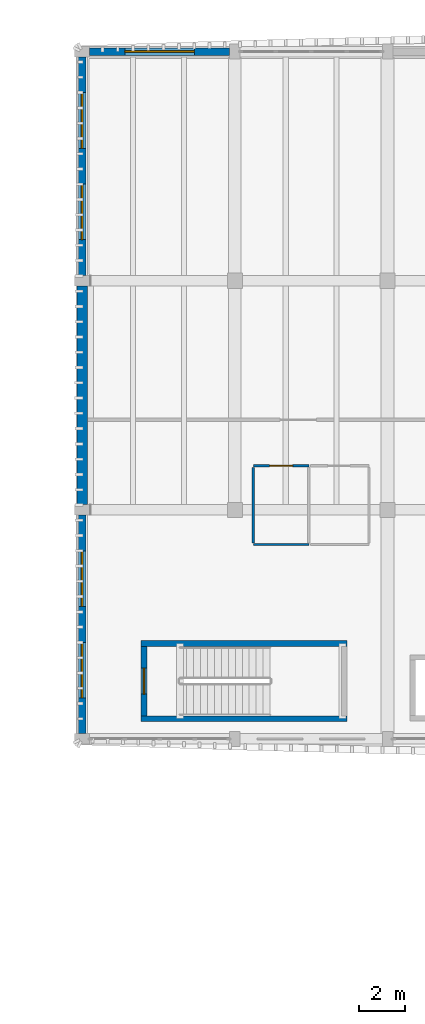
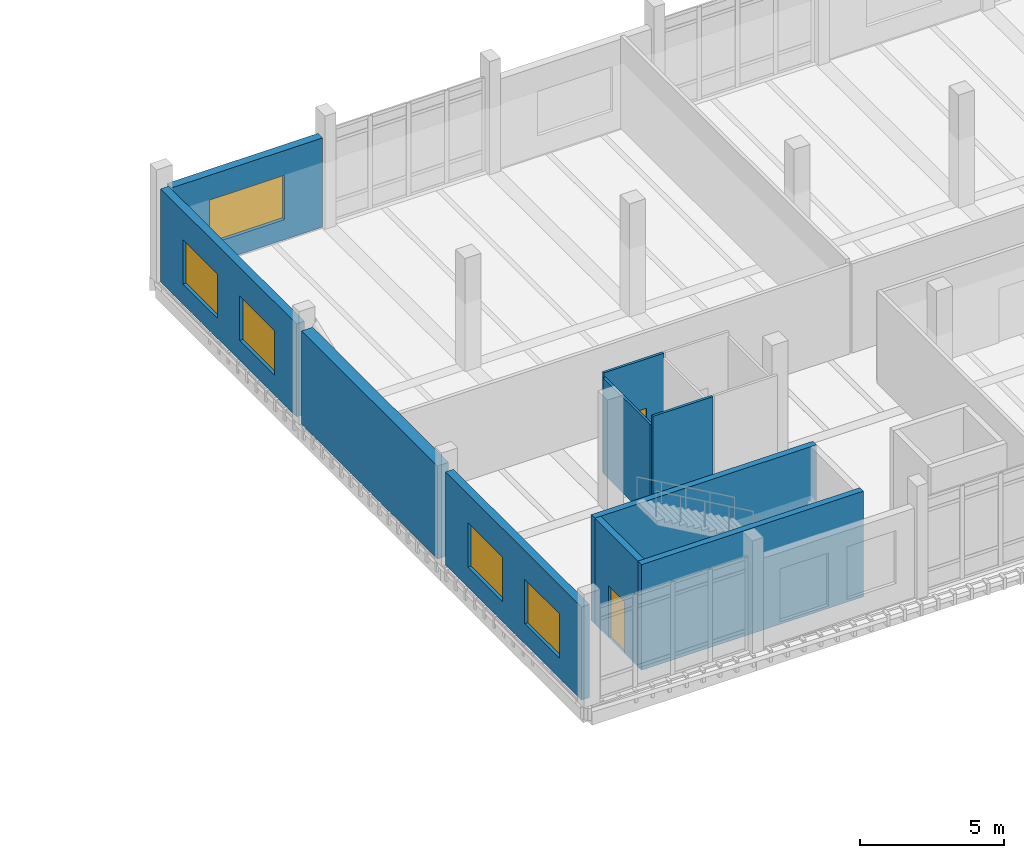
# One storey, part 30 of 50: 10 walls, 5 windows, 2 doors, 7 openings.
"""IFC4 building model written with IfcOpenShell, lengths in metres."""

import ifcopenshell
import ifcopenshell.guid

model = None  # the IFC model being written
_history = None  # IfcOwnerHistory: only IFC2X3 demands one
_inside = {}  # id of a spatial element -> (the spatial element, [elements in it])
_under = {}  # id of a project, library or spatial element -> (it, [spatial elements below it])
_declared = {}  # id of a project -> (the project, [libraries it declares])
_typed = {}  # id of a type object -> (the type object, [elements of that type])
_made_of = {}  # id of a material, layer set ... -> (it, [elements and type objects made of it])


def new_model(schema):
    """Start an empty IFC model of exactly this schema.

    Asked for "IFC4X3", IfcOpenShell would pick the latest addendum, in which some entities
    have other attributes; the version numbers below select the first issue.
    IFC2X3 requires an IfcOwnerHistory on every rooted entity: one is made here for all.
    """
    global model, _history
    if schema == "IFC4X3":
        model = ifcopenshell.file(schema_version=(4, 3, 0, 0))
    else:
        model = ifcopenshell.file(schema=schema)
    _inside.clear()
    _under.clear()
    _declared.clear()
    _typed.clear()
    _made_of.clear()
    _history = None
    if model.schema == "IFC2X3":
        org = make("IfcOrganization", Name="unknown")
        user = make(
            "IfcPersonAndOrganization",
            ThePerson=make("IfcPerson", FamilyName="unknown"),
            TheOrganization=org,
        )
        app = make(
            "IfcApplication",
            ApplicationDeveloper=org,
            Version="unknown",
            ApplicationFullName="unknown",
            ApplicationIdentifier="unknown",
        )
        _history = make(
            "IfcOwnerHistory",
            OwningUser=user,
            OwningApplication=app,
            ChangeAction="ADDED",
            CreationDate=0,
        )
    return model


def make(cls, **values):
    """One entity of the class cls with the attributes given. An attribute that is None is left unset."""
    return model.create_entity(
        cls, **{name: value for name, value in values.items() if value is not None}
    )


def rooted(cls, **values):
    """An entity with a GlobalId (a new one), such as an element, a storey or a relation."""
    return make(cls, GlobalId=ifcopenshell.guid.new(), OwnerHistory=_history, **values)


def si_unit(unit_type, name, prefix=None):
    """IfcSIUnit, for example si_unit("LENGTHUNIT", "METRE", prefix="MILLI")."""
    return make("IfcSIUnit", UnitType=unit_type, Prefix=prefix, Name=name)


def assignment(units):
    """IfcUnitAssignment: the units of a project."""
    return None if units is None else make("IfcUnitAssignment", Units=units)


def point(xyz):
    """IfcCartesianPoint."""
    return None if xyz is None else make("IfcCartesianPoint", Coordinates=xyz)


def direction(xyz):
    """IfcDirection."""
    return None if xyz is None else make("IfcDirection", DirectionRatios=xyz)


def frame(location, z_axis=None, x_axis=None):
    """IfcAxis2Placement3D, a coordinate frame: its origin and axes. An axis left out is left unset."""
    return make(
        "IfcAxis2Placement3D",
        Location=point(location),
        Axis=direction(z_axis),
        RefDirection=direction(x_axis),
    )


def frame_2d(location, x_axis=None):
    """IfcAxis2Placement2D, a coordinate frame in the plane: its origin and x axis."""
    return make(
        "IfcAxis2Placement2D", Location=point(location), RefDirection=direction(x_axis)
    )


def origin():
    """The frame at (0, 0, 0) with its axes left unset."""
    return frame((0.0, 0.0, 0.0))


def place(relative_to, where):
    """IfcLocalPlacement: puts the frame where relative to a parent placement (None: the world)."""
    return make(
        "IfcLocalPlacement", PlacementRelTo=relative_to, RelativePlacement=where
    )


def context(
    kind, dimensions, precision=None, world=None, true_north=None, identifier=None
):
    """IfcGeometricRepresentationContext, for example the 3D "Model" context."""
    return make(
        "IfcGeometricRepresentationContext",
        ContextIdentifier=identifier,
        ContextType=kind,
        CoordinateSpaceDimension=dimensions,
        Precision=precision,
        WorldCoordinateSystem=world,
        TrueNorth=true_north,
    )


def subcontext(parent, identifier, kind, view, scale=None):
    """IfcGeometricRepresentationSubContext, for example "Body" below "Model"."""
    return make(
        "IfcGeometricRepresentationSubContext",
        ContextIdentifier=identifier,
        ContextType=kind,
        ParentContext=parent,
        TargetScale=scale,
        TargetView=view,
    )


def project(units=None, contexts=None):
    """IfcProject with its units and contexts."""
    return rooted(
        "IfcProject",
        Name="project",
        RepresentationContexts=contexts,
        UnitsInContext=assignment(units),
    )


def spatial(cls, under=None, at=None, **own):
    """A site, building, storey or space (cls), placed at a placement, below another one or the project."""
    s = rooted(cls, ObjectPlacement=at, **own)
    if under is not None:
        _under.setdefault(under.id(), (under, []))[1].append(s)
    return s


def profile(cls, at=None, kind="AREA", **sizes):
    """A parametric profile (cls). Its sizes go by their IFC names, for example OverallWidth=200.0."""
    return make(cls, ProfileType=kind, Position=at, **sizes)


def rectangle(**sizes):
    """IfcRectangleProfileDef."""
    return profile("IfcRectangleProfileDef", **sizes)


def extrude(swept, where, along, depth):
    """IfcExtrudedAreaSolid: the profile swept, set in the frame where, extruded along a direction by depth."""
    return make(
        "IfcExtrudedAreaSolid",
        SweptArea=swept,
        Position=where,
        ExtrudedDirection=direction(along),
        Depth=depth,
    )


def shape(context_of_items, identifier, shape_type, items):
    """IfcShapeRepresentation: the items that make up one representation, for example the "Body"."""
    return make(
        "IfcShapeRepresentation",
        ContextOfItems=context_of_items,
        RepresentationIdentifier=identifier,
        RepresentationType=shape_type,
        Items=items,
    )


def material(Name=None, Category=None):
    """IfcMaterial."""
    return make("IfcMaterial", Name=Name, Category=Category)


def layer(
    of_material, thickness, ventilated=None, Name=None, Category=None, Priority=None
):
    """IfcMaterialLayer: one layer of a wall or slab, of a material (None: an air gap)."""
    return make(
        "IfcMaterialLayer",
        Material=of_material,
        LayerThickness=thickness,
        IsVentilated=ventilated,
        Name=Name,
        Category=Category,
        Priority=Priority,
    )


def layer_set(layers, Name=None):
    """IfcMaterialLayerSet."""
    return make("IfcMaterialLayerSet", MaterialLayers=layers, LayerSetName=Name)


def made_of(thing, what):
    """Note that an element or type object is made of a material, layer set ...; save() writes the relation."""
    if what is not None:
        _made_of.setdefault(what.id(), (what, []))[1].append(thing)
    return thing


def type_object(cls, material=None, **own):
    """A type object (cls), such as IfcWallType, which elements share."""
    return made_of(rooted(cls, **own), material)


def element(
    cls,
    number,
    at=None,
    inside=None,
    cuts=None,
    type_object=None,
    material=None,
    context=None,
    identifier="Body",
    shape_type=None,
    held_by="IfcProductDefinitionShape",
    body=None,
    shapes=None,
    **own,
):
    """One element of the class cls, such as IfcWall. Its Tag is "e" and its number.

    at: its placement. inside: the storey or other place that contains it. cuts: it is an
    opening in that element (IfcRelVoidsElement). A single representation is given by context,
    identifier, shape_type and body (its items); several are given by shapes. held_by: the class
    of the entity that holds the representations. save() writes the other relations.
    """
    e = rooted(cls, Tag="e%d" % number, ObjectPlacement=at, **own)
    if body is not None:
        shapes = [shape(context, identifier, shape_type, body)]
    if shapes is not None:
        e.Representation = make(held_by, Representations=shapes)
    if inside is not None:
        _inside.setdefault(inside.id(), (inside, []))[1].append(e)
    if cuts is not None:
        rooted(
            "IfcRelVoidsElement", RelatingBuildingElement=cuts, RelatedOpeningElement=e
        )
    if type_object is not None:
        _typed.setdefault(type_object.id(), (type_object, []))[1].append(e)
    return made_of(e, material)


def fill(opening, filler):
    """IfcRelFillsElement: the door or window that sits in an opening."""
    return rooted(
        "IfcRelFillsElement",
        RelatingOpeningElement=opening,
        RelatedBuildingElement=filler,
    )


def aggregate(whole, parts):
    """IfcRelAggregates: a whole, such as a stair, and the parts it consists of."""
    return rooted("IfcRelAggregates", RelatingObject=whole, RelatedObjects=parts)


def save(model, path):
    """Write the relations noted so far, then the file.

    IfcRelAggregates (storeys below a building ...), IfcRelContainedInSpatialStructure (elements
    in a storey), IfcRelDefinesByType, IfcRelAssociatesMaterial and IfcRelDeclares: one each for
    every whole, place, type object, material and project.
    """
    for whole, parts in _under.values():
        aggregate(whole, parts)
    for where, things in _inside.values():
        rooted(
            "IfcRelContainedInSpatialStructure",
            RelatedElements=things,
            RelatingStructure=where,
        )
    for kind, things in _typed.values():
        rooted("IfcRelDefinesByType", RelatedObjects=things, RelatingType=kind)
    for what, things in _made_of.values():
        rooted("IfcRelAssociatesMaterial", RelatedObjects=things, RelatingMaterial=what)
    for by, libraries in _declared.values():
        rooted("IfcRelDeclares", RelatingContext=by, RelatedDefinitions=libraries)
    model.write(path)


model = new_model("IFC4")

# Units and contexts
model_context = context("Model", 3, precision=1e-05, world=origin(), true_north=direction((0.0, 1.0)))
body_context = subcontext(model_context, "Body", "Model", "MODEL_VIEW")
ifc_project = project(units=[si_unit("LENGTHUNIT", "METRE"), si_unit("AREAUNIT", "SQUARE_METRE"), si_unit("VOLUMEUNIT", "CUBIC_METRE"), si_unit("PLANEANGLEUNIT", "RADIAN"), si_unit("MASSUNIT", "GRAM", prefix="KILO")], contexts=[model_context])

# Site, building, storey
site_placement = place(None, origin())
site = spatial("IfcSite", under=ifc_project, at=site_placement, CompositionType="ELEMENT")
building_placement = place(site_placement, origin())
building = spatial("IfcBuilding", under=site, at=building_placement, Name="Dornvale Research Institute", CompositionType="ELEMENT")
storey_placement = place(building_placement, frame((0.0, 0.0, 19.800048828125)))
storey = spatial("IfcBuildingStorey", under=building, at=storey_placement, Name="L04", CompositionType="ELEMENT", Elevation=19.800048828125)

# Wall
ifc_material_1 = material(Name="Acoustic Insulated Double-Stud Laboratory Partition")
ifc_layer_1 = layer(ifc_material_1, 0.10009765625)
ifc_layer_set_1 = layer_set([ifc_layer_1], Name="Acoustic Insulated Double-Stud Laboratory Partition")
wall_type_1 = type_object("IfcWallType", Name="Partition_Office_100", PredefinedType="PARTITIONING", material=ifc_layer_set_1)
wall_1_placement = place(storey_placement, frame((126.199951171875, 100.800048828125, 0.0), z_axis=(0.0, 0.0, 1.0), x_axis=(1.0, 0.0, 0.0)))
element("IfcWall", 1, at=wall_1_placement, inside=storey, type_object=wall_type_1, Name="L04 V4 interior partition #426", PredefinedType="PARTITIONING", context=body_context, shape_type="SweptSolid", body=[
    extrude(rectangle(XDim=2.400146484375, YDim=0.10009765625, at=frame_2d((1.2001953125, 0.0))), origin(), (0.0, 0.0, 1.0), 4.4599609375),
])

# Wall, opening, door
wall_2_placement = place(storey_placement, frame((126.199951171875, 104.199951171875, 0.0), z_axis=(0.0, 0.0, 1.0), x_axis=(1.0, 0.0, 0.0)))
wall_2 = element("IfcWall", 2, at=wall_2_placement, inside=storey, type_object=wall_type_1, Name="L04 V4 interior partition #427", PredefinedType="PARTITIONING", context=body_context, shape_type="SweptSolid", body=[
    extrude(rectangle(XDim=2.400146484375, YDim=0.10009765625, at=frame_2d((1.2001953125, 0.0))), origin(), (0.0, 0.0, 1.0), 4.244873046875),
])
opening_1_placement = place(wall_2_placement, frame((0.699951171875, 0.0, 0.0)))
opening_1 = element("IfcOpeningElement", 3, at=opening_1_placement, cuts=wall_2, Name="Opening ID-24", PredefinedType="OPENING", context=body_context, shape_type="SweptSolid", body=[
    extrude(rectangle(XDim=1.0, YDim=2.14990234375, at=frame_2d((0.5, 1.074951171875))), frame((0.0, 0.06494140625, 0.0), z_axis=(0.0, -1.0, 0.0), x_axis=(1.0, 0.0, 0.0)), (0.0, 0.0, 1.0), 0.130126953125),
])
ifc_material_2 = material(Name="Phenolic-Faced Solid-Core Laboratory Door Assembly")
door_type_1 = type_object("IfcDoorType", Name="Door_AccWC_1000x2150", OperationType="SINGLE_SWING_LEFT", PredefinedType="DOOR", material=ifc_material_2)
door_1_placement = place(opening_1_placement, origin())
door_1 = element("IfcDoor", 4, at=door_1_placement, inside=storey, type_object=door_type_1, Name="L04 Wet Wing Male Restroom L04 door #174", OperationType="SINGLE_SWING_LEFT", OverallHeight=2.14990234375, OverallWidth=1.0, PredefinedType="DOOR", context=body_context, shape_type="SweptSolid", body=[
    extrude(rectangle(XDim=1.0, YDim=2.14990234375, at=frame_2d((0.5, 1.074951171875))), frame((0.0, 0.02490234375, 0.0), z_axis=(0.0, -1.0, 0.0), x_axis=(1.0, 0.0, 0.0)), (0.0, 0.0, 1.0), 0.050048828125),
])
fill(opening_1, door_1)

# Walls
wall_3_placement = place(storey_placement, frame((126.199951171875, 100.864990234375, 0.0), z_axis=(0.0, 0.0, 1.0), x_axis=(0.0, 1.0, 0.0)))
element("IfcWall", 5, at=wall_3_placement, inside=storey, type_object=wall_type_1, Name="L04 V4 interior partition #428", PredefinedType="PARTITIONING", context=body_context, shape_type="SweptSolid", body=[
    extrude(rectangle(XDim=3.27001953125, YDim=0.10009765625, at=frame_2d((1.635009765625, 0.0))), origin(), (0.0, 0.0, 1.0), 4.06494140625),
])
ifc_material_3 = material(Name="Concrete f'c 45 MPa (C35/45)", Category="concrete")
ifc_layer_2 = layer(ifc_material_3, 0.25)
ifc_layer_set_2 = layer_set([ifc_layer_2], Name="Concrete f'c 45 MPa (C35/45)")
wall_type_2 = type_object("IfcWallType", Name="ShearWall_Core_250", PredefinedType="SHEAR", material=ifc_layer_set_2)
for number, where, z_axis, x_axis, name in (
    (6, (121.35009765625, 93.27490234375, 0.0), (0.0, 0.0, 1.0), (1.0, 0.0, 0.0), "L04 ST-3 shaft shear wall south"),
    (7, (121.35009765625, 96.52490234375, 0.0), (0.0, 0.0, 1.0), (1.0, 0.0, 0.0), "L04 ST-3 shaft shear wall north"),
):
    element("IfcWall", number, at=place(storey_placement, frame(where, z_axis=z_axis, x_axis=x_axis)), inside=storey, type_object=wall_type_2, Name=name, PredefinedType="SHEAR", context=body_context, shape_type="SweptSolid", body=[
        extrude(rectangle(XDim=8.89990234375, YDim=0.25, at=frame_2d((4.449951171875, 0.0))), origin(), (0.0, 0.0, 1.0), 4.47998046875),
    ])

# Wall, opening, door
wall_4_placement = place(storey_placement, frame((121.47509765625, 93.39990234375, 0.0), z_axis=(0.0, 0.0, 1.0), x_axis=(0.0, 1.0, 0.0)))
wall_4 = element("IfcWall", 8, at=wall_4_placement, inside=storey, type_object=wall_type_2, Name="L04 ST-3 shaft shear wall west", PredefinedType="SHEAR", context=body_context, shape_type="SweptSolid", body=[
    extrude(rectangle(XDim=3.0, YDim=0.25, at=frame_2d((1.5, 0.0))), origin(), (0.0, 0.0, 1.0), 4.47998046875),
])
opening_2_placement = place(wall_4_placement, frame((0.93994140625, 0.0, 0.0)))
opening_2 = element("IfcOpeningElement", 9, at=opening_2_placement, cuts=wall_4, Name="Opening SD-01", PredefinedType="OPENING", context=body_context, shape_type="SweptSolid", body=[
    extrude(rectangle(XDim=1.1201171875, YDim=2.199951171875, at=frame_2d((0.56005859375, 1.10009765625))), frame((0.0, 0.139892578125, 0.0), z_axis=(0.0, -1.0, 0.0), x_axis=(1.0, 0.0, 0.0)), (0.0, 0.0, 1.0), 0.280029296875),
])
ifc_material_4 = material(Name="Insulated Fire-Rated Hollow Metal Door Assembly")
door_type_2 = type_object("IfcDoorType", Name="Door_Stair_1120x2200", OperationType="SINGLE_SWING_LEFT", PredefinedType="DOOR", material=ifc_material_4)
door_2_placement = place(opening_2_placement, origin())
door_2 = element("IfcDoor", 10, at=door_2_placement, inside=storey, type_object=door_type_2, Name="L04 ST-3 exit stair door #30", OperationType="SINGLE_SWING_RIGHT", OverallHeight=2.199951171875, OverallWidth=1.1201171875, PredefinedType="DOOR", context=body_context, shape_type="SweptSolid", body=[
    extrude(rectangle(XDim=1.1201171875, YDim=2.199951171875, at=frame_2d((0.56005859375, 1.10009765625))), frame((0.0, 0.02490234375, 0.0), z_axis=(0.0, -1.0, 0.0), x_axis=(1.0, 0.0, 0.0)), (0.0, 0.0, 1.0), 0.050048828125),
])
fill(opening_2, door_2)

# Wall
ifc_material_5 = material(Name="Precast Concrete f'c 40 MPa (C32/40) and Glazed Terracotta Backup Wall", Category="masonry")
ifc_layer_3 = layer(ifc_material_5, 0.449951171875)
ifc_layer_set_3 = layer_set([ifc_layer_3], Name="Precast Concrete f'c 40 MPa (C32/40) and Glazed Terracotta Backup Wall")
wall_type_3 = type_object("IfcWallType", Name="SolidWall_ShearBraceBay_450", PredefinedType="SOLIDWALL", material=ifc_layer_set_3)
wall_5_placement = place(storey_placement, frame((118.800048828125, 102.52490234375, 0.0), z_axis=(0.0, 0.0, 1.0), x_axis=(0.0, 1.0, 0.0)))
element("IfcWall", 11, at=wall_5_placement, inside=storey, type_object=wall_type_3, Name="L04 V4 west exterior wall #247", PredefinedType="SOLIDWALL", context=body_context, shape_type="SweptSolid", body=[
    extrude(rectangle(XDim=9.4501953125, YDim=0.449951171875, at=frame_2d((4.72509765625, 0.0))), origin(), (0.0, 0.0, 1.0), 3.949951171875),
])

# Wall, openings, windows
ifc_material_6 = material(Name="Catalan Pressed Brick and Insulated Cavity Assembly", Category="masonry")
ifc_layer_4 = layer(ifc_material_6, 0.320068359375)
ifc_layer_set_4 = layer_set([ifc_layer_4], Name="Catalan Pressed Brick and Insulated Cavity Assembly")
wall_type_4 = type_object("IfcWallType", Name="StandardWall_BrickCavity_320", PredefinedType="STANDARD", material=ifc_layer_set_4)
wall_6_placement = place(storey_placement, frame((118.800048828125, 92.625, 0.0), z_axis=(0.0, 0.0, 1.0), x_axis=(0.0, 1.0, 0.0)))
wall_6 = element("IfcWall", 12, at=wall_6_placement, inside=storey, type_object=wall_type_4, Name="L04 V4 west exterior wall #246", PredefinedType="STANDARD", context=body_context, shape_type="SweptSolid", body=[
    extrude(rectangle(XDim=9.449951171875, YDim=0.320068359375, at=frame_2d((4.72509765625, 0.0))), origin(), (0.0, 0.0, 1.0), 3.949951171875),
])
opening_3_placement = place(wall_6_placement, frame((1.550048828125, 0.0, 0.85009765625)))
opening_3 = element("IfcOpeningElement", 13, at=opening_3_placement, cuts=wall_6, Name="Opening W-33", PredefinedType="OPENING", context=body_context, shape_type="SweptSolid", body=[
    extrude(rectangle(XDim=2.39990234375, YDim=1.8798828125, at=frame_2d((1.199951171875, 0.93994140625))), frame((0.0, 0.175048828125, 0.0), z_axis=(0.0, -1.0, 0.0), x_axis=(1.0, 0.0, 0.0)), (0.0, 0.0, 1.0), 0.35009765625),
])
opening_4_placement = place(wall_6_placement, frame((5.5, 0.0, 0.85009765625)))
opening_4 = element("IfcOpeningElement", 14, at=opening_4_placement, cuts=wall_6, Name="Opening W-33", PredefinedType="OPENING", context=body_context, shape_type="SweptSolid", body=[
    extrude(rectangle(XDim=2.39990234375, YDim=1.8798828125, at=frame_2d((1.199951171875, 0.93994140625))), frame((0.0, 0.175048828125, 0.0), z_axis=(0.0, -1.0, 0.0), x_axis=(1.0, 0.0, 0.0)), (0.0, 0.0, 1.0), 0.35009765625),
])
ifc_material_7 = material(Name="Low-E Argon Double Insulating Glazing Unit", Category="glass")
window_type_1 = type_object("IfcWindowType", Name="Window_Alu_2400x1880_33", PartitioningType="DOUBLE_PANEL_VERTICAL", PredefinedType="WINDOW", material=ifc_material_7)
window_1_placement = place(opening_3_placement, origin())
window_1 = element("IfcWindow", 15, at=window_1_placement, inside=storey, type_object=window_type_1, Name="L04 V4 facade window W-33 #334", OverallHeight=1.8798828125, OverallWidth=2.39990234375, PartitioningType="DOUBLE_PANEL_VERTICAL", PredefinedType="WINDOW", context=body_context, shape_type="SweptSolid", body=[
    extrude(rectangle(XDim=2.39990234375, YDim=1.8798828125, at=frame_2d((1.199951171875, 0.93994140625))), frame((0.0, 0.030029296875, 0.0), z_axis=(0.0, -1.0, 0.0), x_axis=(1.0, 0.0, 0.0)), (0.0, 0.0, 1.0), 0.06005859375),
])
fill(opening_3, window_1)
window_2_placement = place(opening_4_placement, origin())
window_2 = element("IfcWindow", 16, at=window_2_placement, inside=storey, type_object=window_type_1, Name="L04 V4 facade window W-33 #335", OverallHeight=1.8798828125, OverallWidth=2.39990234375, PartitioningType="DOUBLE_PANEL_VERTICAL", PredefinedType="WINDOW", context=body_context, shape_type="SweptSolid", body=[
    extrude(rectangle(XDim=2.39990234375, YDim=1.8798828125, at=frame_2d((1.199951171875, 0.93994140625))), frame((0.0, 0.030029296875, 0.0), z_axis=(0.0, -1.0, 0.0), x_axis=(1.0, 0.0, 0.0)), (0.0, 0.0, 1.0), 0.06005859375),
])
fill(opening_4, window_2)

wall_7_placement = place(storey_placement, frame((118.800048828125, 112.425048828125, 0.0), z_axis=(0.0, 0.0, 1.0), x_axis=(0.0, 1.0, 0.0)))
wall_7 = element("IfcWall", 17, at=wall_7_placement, inside=storey, type_object=wall_type_4, Name="L04 V4 west exterior wall #248", PredefinedType="STANDARD", context=body_context, shape_type="SweptSolid", body=[
    extrude(rectangle(XDim=9.449951171875, YDim=0.320068359375, at=frame_2d((4.72509765625, 0.0))), origin(), (0.0, 0.0, 1.0), 3.949951171875),
])
opening_5_placement = place(wall_7_placement, frame((1.550048828125, 0.0, 0.85009765625)))
opening_5 = element("IfcOpeningElement", 18, at=opening_5_placement, cuts=wall_7, Name="Opening W-33", PredefinedType="OPENING", context=body_context, shape_type="SweptSolid", body=[
    extrude(rectangle(XDim=2.39990234375, YDim=1.8798828125, at=frame_2d((1.199951171875, 0.93994140625))), frame((0.0, 0.175048828125, 0.0), z_axis=(0.0, -1.0, 0.0), x_axis=(1.0, 0.0, 0.0)), (0.0, 0.0, 1.0), 0.35009765625),
])
opening_6_placement = place(wall_7_placement, frame((5.5, 0.0, 0.85009765625)))
opening_6 = element("IfcOpeningElement", 19, at=opening_6_placement, cuts=wall_7, Name="Opening W-33", PredefinedType="OPENING", context=body_context, shape_type="SweptSolid", body=[
    extrude(rectangle(XDim=2.39990234375, YDim=1.8798828125, at=frame_2d((1.199951171875, 0.93994140625))), frame((0.0, 0.175048828125, 0.0), z_axis=(0.0, -1.0, 0.0), x_axis=(1.0, 0.0, 0.0)), (0.0, 0.0, 1.0), 0.35009765625),
])
window_3_placement = place(opening_5_placement, origin())
window_3 = element("IfcWindow", 20, at=window_3_placement, inside=storey, type_object=window_type_1, Name="L04 V4 facade window W-33 #336", OverallHeight=1.8798828125, OverallWidth=2.39990234375, PartitioningType="DOUBLE_PANEL_VERTICAL", PredefinedType="WINDOW", context=body_context, shape_type="SweptSolid", body=[
    extrude(rectangle(XDim=2.39990234375, YDim=1.8798828125, at=frame_2d((1.199951171875, 0.93994140625))), frame((0.0, 0.030029296875, 0.0), z_axis=(0.0, -1.0, 0.0), x_axis=(1.0, 0.0, 0.0)), (0.0, 0.0, 1.0), 0.06005859375),
])
fill(opening_5, window_3)
window_4_placement = place(opening_6_placement, origin())
window_4 = element("IfcWindow", 21, at=window_4_placement, inside=storey, type_object=window_type_1, Name="L04 V4 facade window W-33 #337", OverallHeight=1.8798828125, OverallWidth=2.39990234375, PartitioningType="DOUBLE_PANEL_VERTICAL", PredefinedType="WINDOW", context=body_context, shape_type="SweptSolid", body=[
    extrude(rectangle(XDim=2.39990234375, YDim=1.8798828125, at=frame_2d((1.199951171875, 0.93994140625))), frame((0.0, 0.030029296875, 0.0), z_axis=(0.0, -1.0, 0.0), x_axis=(1.0, 0.0, 0.0)), (0.0, 0.0, 1.0), 0.06005859375),
])
fill(opening_6, window_4)

# Wall, opening, window
wall_8_placement = place(storey_placement, frame((119.125, 122.10009765625, 0.0), z_axis=(0.0, 0.0, 1.0), x_axis=(1.0, 0.0, 0.0)))
wall_8 = element("IfcWall", 22, at=wall_8_placement, inside=storey, type_object=wall_type_4, Name="L04 V4 north exterior wall #249", PredefinedType="STANDARD", context=body_context, shape_type="SweptSolid", body=[
    extrude(rectangle(XDim=6.050048828125, YDim=0.320068359375, at=frame_2d((3.02490234375, 0.0))), origin(), (0.0, 0.0, 1.0), 3.780029296875),
])
opening_7_placement = place(wall_8_placement, frame((1.52490234375, 0.0, 0.85009765625)))
opening_7 = element("IfcOpeningElement", 23, at=opening_7_placement, cuts=wall_8, Name="Opening W-36", PredefinedType="OPENING", context=body_context, shape_type="SweptSolid", body=[
    extrude(rectangle(XDim=3.0, YDim=1.8798828125, at=frame_2d((1.5, 0.93994140625))), frame((0.0, 0.175048828125, 0.0), z_axis=(0.0, -1.0, 0.0), x_axis=(1.0, 0.0, 0.0)), (0.0, 0.0, 1.0), 0.35009765625),
])
ifc_material_8 = material(Name="Low-E Argon Double Insulating Glazing Unit", Category="glass")
window_type_2 = type_object("IfcWindowType", Name="Window_Alu_3000x1880_36", PartitioningType="DOUBLE_PANEL_VERTICAL", PredefinedType="WINDOW", material=ifc_material_8)
window_5_placement = place(opening_7_placement, origin())
window_5 = element("IfcWindow", 24, at=window_5_placement, inside=storey, type_object=window_type_2, Name="L04 V4 facade window W-36 #338", OverallHeight=1.8798828125, OverallWidth=3.0, PartitioningType="DOUBLE_PANEL_VERTICAL", PredefinedType="WINDOW", context=body_context, shape_type="SweptSolid", body=[
    extrude(rectangle(XDim=3.0, YDim=1.8798828125, at=frame_2d((1.5, 0.93994140625))), frame((0.0, 0.030029296875, 0.0), z_axis=(0.0, -1.0, 0.0), x_axis=(1.0, 0.0, 0.0)), (0.0, 0.0, 1.0), 0.06005859375),
])
fill(opening_7, window_5)

save(model, "model.ifc")
